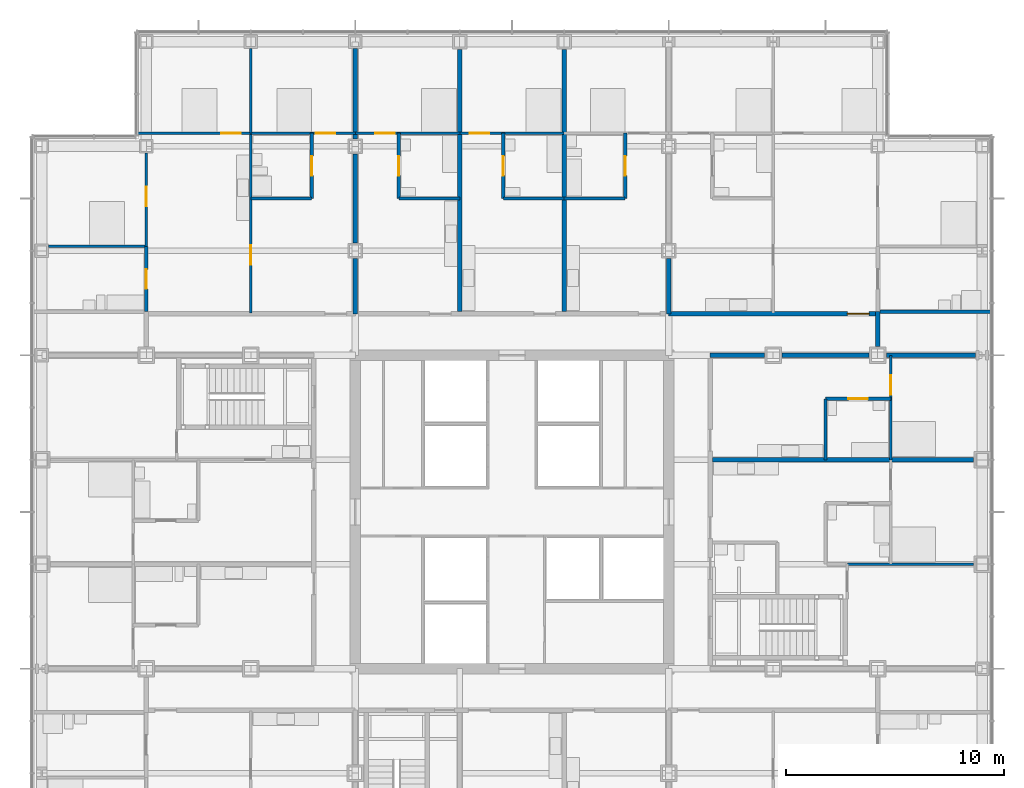
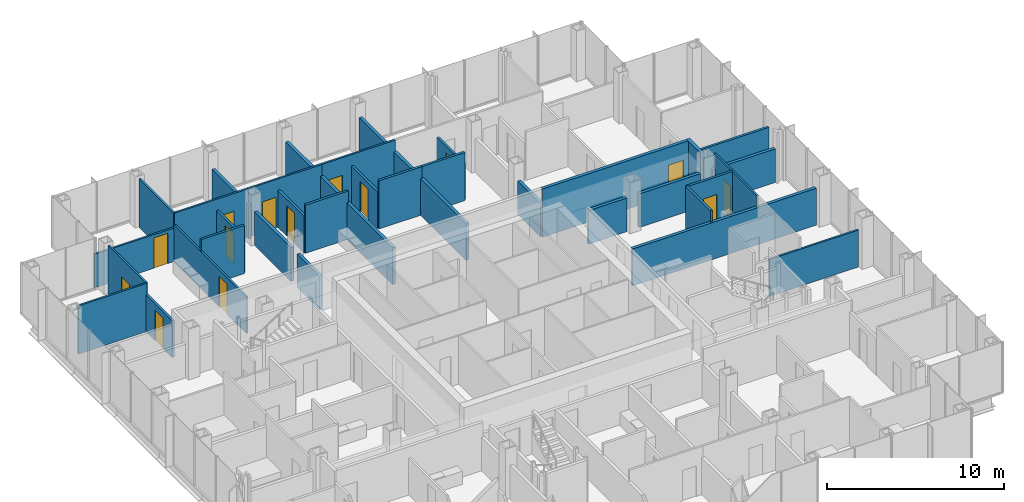
# One storey, part 17 of 21: 34 walls, 14 doors, 14 openings.
"""IFC4 building model written with IfcOpenShell, lengths in metres."""

from ifc_helpers import new_model, si_unit, direction, frame, frame_2d, origin, place, context, subcontext, project, spatial, rectangle, extrude, material, layer, layer_set, type_object, element, fill, save


model = new_model("IFC4")

# Units and contexts
model_context = context("Model", 3, precision=1e-05, world=origin(), true_north=direction((0.0, 1.0)))
body_context = subcontext(model_context, "Body", "Model", "MODEL_VIEW")
ifc_project = project(units=[si_unit("LENGTHUNIT", "METRE"), si_unit("AREAUNIT", "SQUARE_METRE"), si_unit("VOLUMEUNIT", "CUBIC_METRE"), si_unit("PLANEANGLEUNIT", "RADIAN"), si_unit("MASSUNIT", "GRAM", prefix="KILO")], contexts=[model_context])

# Site, building, storey
site_placement = place(None, origin())
site = spatial("IfcSite", under=ifc_project, at=site_placement, CompositionType="ELEMENT")
building_placement = place(site_placement, origin())
building = spatial("IfcBuilding", under=site, at=building_placement, Name="Kvirike Care Tower", CompositionType="ELEMENT")
storey_placement = place(building_placement, frame((0.0, 0.0, 48.0)))
storey = spatial("IfcBuildingStorey", under=building, at=storey_placement, Name="L12", CompositionType="ELEMENT", Elevation=48.0)

# Wall, opening, door
ifc_material_1 = material(Name="Moisture-resistant board partition", Category="gypsum")
ifc_layer_1 = layer(ifc_material_1, 0.14990234375)
ifc_layer_set_1 = layer_set([ifc_layer_1], Name="BATHROOM WALL 150")
wall_type_1 = type_object("IfcWallType", Name="BATHROOM WALL 150", PredefinedType="PARTITIONING", material=ifc_layer_set_1)
wall_1_placement = place(storey_placement, frame((12.39990234375, 53.39990234375, 0.0), z_axis=(0.0, 0.0, 1.0), x_axis=(0.0, -1.0, 0.0)))
wall_1 = element("IfcWall", 1, at=wall_1_placement, inside=storey, type_object=wall_type_1, Name="Bathroom Wall 150 L12", PredefinedType="PARTITIONING", context=body_context, shape_type="SweptSolid", body=[
    extrude(rectangle(XDim=3.0, YDim=0.14990234375, at=frame_2d((1.5, 0.0))), origin(), (0.0, 0.0, 1.0), 2.550048828125),
])
opening_1_placement = place(wall_1_placement, frame((1.050048828125, 0.0, 0.0)))
opening_1 = element("IfcOpeningElement", 2, at=opening_1_placement, cuts=wall_1, Name="Opening 12-017", PredefinedType="OPENING", context=body_context, shape_type="SweptSolid", body=[
    extrude(rectangle(XDim=0.89990234375, YDim=2.10009765625, at=frame_2d((0.449951171875, 1.050048828125))), frame((0.0, 0.08544921875, 0.0), z_axis=(0.0, -1.0, 0.0), x_axis=(1.0, 0.0, 0.0)), (0.0, 0.0, 1.0), 0.1708984375),
])
ifc_material_2 = material(Name="Timber door set", Category="wood")
door_type_1 = type_object("IfcDoorType", Name="BATHROOM DOOR 900", OperationType="SINGLE_SWING_RIGHT", PredefinedType="DOOR", material=ifc_material_2)
door_1_placement = place(opening_1_placement, frame((0.89990234375, 0.0, 0.0), z_axis=(0.0, 0.0, 1.0), x_axis=(-1.0, 0.0, 0.0)))
door_1 = element("IfcDoor", 3, at=door_1_placement, inside=storey, type_object=door_type_1, Name="Shower room door", OperationType="SINGLE_SWING_RIGHT", OverallHeight=2.10009765625, OverallWidth=0.89990234375, PredefinedType="DOOR", context=body_context, shape_type="SweptSolid", body=[
    extrude(rectangle(XDim=0.89990234375, YDim=2.10009765625, at=frame_2d((0.449951171875, 1.050048828125))), frame((0.0, 0.02197265625, 0.0), z_axis=(0.0, -1.0, 0.0), x_axis=(1.0, 0.0, 0.0)), (0.0, 0.0, 1.0), 0.0439453125),
])
fill(opening_1, door_1)

# Wall
wall_2_placement = place(storey_placement, frame((12.39990234375, 50.39990234375, 0.0), z_axis=(0.0, 0.0, 1.0), x_axis=(-1.0, 0.0, 0.0)))
element("IfcWall", 4, at=wall_2_placement, inside=storey, type_object=wall_type_1, Name="Bathroom Wall 150 L12", PredefinedType="PARTITIONING", context=body_context, shape_type="SweptSolid", body=[
    extrude(rectangle(XDim=2.7998046875, YDim=0.14990234375, at=frame_2d((1.39990234375, 0.0))), origin(), (0.0, 0.0, 1.0), 3.330078125),
])

# Wall, opening, door
wall_3_placement = place(storey_placement, frame((4.800048828125, 48.199951171875, 0.0), z_axis=(0.0, 0.0, 1.0), x_axis=(0.0, -1.0, 0.0)))
wall_3 = element("IfcWall", 5, at=wall_3_placement, inside=storey, type_object=wall_type_1, Name="Bathroom Wall 150 L12", PredefinedType="PARTITIONING", context=body_context, shape_type="SweptSolid", body=[
    extrude(rectangle(XDim=3.0, YDim=0.14990234375, at=frame_2d((1.5, 0.0))), origin(), (0.0, 0.0, 1.0), 2.550048828125),
])
opening_2_placement = place(wall_3_placement, frame((1.050048828125, 0.0, 0.0)))
opening_2 = element("IfcOpeningElement", 6, at=opening_2_placement, cuts=wall_3, Name="Opening 12-018", PredefinedType="OPENING", context=body_context, shape_type="SweptSolid", body=[
    extrude(rectangle(XDim=0.89990234375, YDim=2.10009765625, at=frame_2d((0.449951171875, 1.050048828125))), frame((0.0, 0.08544921875, 0.0), z_axis=(0.0, -1.0, 0.0), x_axis=(1.0, 0.0, 0.0)), (0.0, 0.0, 1.0), 0.1708984375),
])
door_2_placement = place(opening_2_placement, frame((0.89990234375, 0.0, 0.0), z_axis=(0.0, 0.0, 1.0), x_axis=(-1.0, 0.0, 0.0)))
door_2 = element("IfcDoor", 7, at=door_2_placement, inside=storey, type_object=door_type_1, Name="Bathroom door", OperationType="SINGLE_SWING_LEFT", OverallHeight=2.10009765625, OverallWidth=0.89990234375, PredefinedType="DOOR", context=body_context, shape_type="SweptSolid", body=[
    extrude(rectangle(XDim=0.89990234375, YDim=2.10009765625, at=frame_2d((0.449951171875, 1.050048828125))), frame((0.0, 0.02197265625, 0.0), z_axis=(0.0, -1.0, 0.0), x_axis=(1.0, 0.0, 0.0)), (0.0, 0.0, 1.0), 0.0439453125),
])
fill(opening_2, door_2)

wall_4_placement = place(storey_placement, frame((26.800048828125, 53.39990234375, 0.0), z_axis=(0.0, 0.0, 1.0), x_axis=(0.0, -1.0, 0.0)))
wall_4 = element("IfcWall", 8, at=wall_4_placement, inside=storey, type_object=wall_type_1, Name="Bathroom Wall 150 L12", PredefinedType="PARTITIONING", context=body_context, shape_type="SweptSolid", body=[
    extrude(rectangle(XDim=3.0, YDim=0.14990234375, at=frame_2d((1.5, 0.0))), origin(), (0.0, 0.0, 1.0), 2.550048828125),
])
opening_3_placement = place(wall_4_placement, frame((1.050048828125, 0.0, 0.0)))
opening_3 = element("IfcOpeningElement", 9, at=opening_3_placement, cuts=wall_4, Name="Opening 12-032", PredefinedType="OPENING", context=body_context, shape_type="SweptSolid", body=[
    extrude(rectangle(XDim=0.89990234375, YDim=2.10009765625, at=frame_2d((0.449951171875, 1.050048828125))), frame((0.0, 0.08544921875, 0.0), z_axis=(0.0, -1.0, 0.0), x_axis=(1.0, 0.0, 0.0)), (0.0, 0.0, 1.0), 0.1708984375),
])
door_3_placement = place(opening_3_placement, frame((0.89990234375, 0.0, 0.0), z_axis=(0.0, 0.0, 1.0), x_axis=(-1.0, 0.0, 0.0)))
door_3 = element("IfcDoor", 10, at=door_3_placement, inside=storey, type_object=door_type_1, Name="Bathroom door", OperationType="SINGLE_SWING_LEFT", OverallHeight=2.10009765625, OverallWidth=0.89990234375, PredefinedType="DOOR", context=body_context, shape_type="SweptSolid", body=[
    extrude(rectangle(XDim=0.89990234375, YDim=2.10009765625, at=frame_2d((0.449951171875, 1.050048828125))), frame((0.0, 0.02197265625, 0.0), z_axis=(0.0, -1.0, 0.0), x_axis=(1.0, 0.0, 0.0)), (0.0, 0.0, 1.0), 0.0439453125),
])
fill(opening_3, door_3)

# Wall
wall_5_placement = place(storey_placement, frame((26.800048828125, 50.39990234375, 0.0), z_axis=(0.0, 0.0, 1.0), x_axis=(-1.0, 0.0, 0.0)))
element("IfcWall", 11, at=wall_5_placement, inside=storey, type_object=wall_type_1, Name="Bathroom Wall 150 L12", PredefinedType="PARTITIONING", context=body_context, shape_type="SweptSolid", body=[
    extrude(rectangle(XDim=2.800048828125, YDim=0.14990234375, at=frame_2d((1.39990234375, 0.0))), origin(), (0.0, 0.0, 1.0), 3.330078125),
])

# Wall, opening, door
wall_6_placement = place(storey_placement, frame((21.199951171875, 53.39990234375, 0.0), z_axis=(0.0, 0.0, 1.0), x_axis=(0.0, -1.0, 0.0)))
wall_6 = element("IfcWall", 12, at=wall_6_placement, inside=storey, type_object=wall_type_1, Name="Bathroom Wall 150 L12", PredefinedType="PARTITIONING", context=body_context, shape_type="SweptSolid", body=[
    extrude(rectangle(XDim=3.0, YDim=0.14990234375, at=frame_2d((1.5, 0.0))), origin(), (0.0, 0.0, 1.0), 2.550048828125),
])
opening_4_placement = place(wall_6_placement, frame((1.050048828125, 0.0, 0.0)))
opening_4 = element("IfcOpeningElement", 13, at=opening_4_placement, cuts=wall_6, Name="Opening 12-034", PredefinedType="OPENING", context=body_context, shape_type="SweptSolid", body=[
    extrude(rectangle(XDim=0.89990234375, YDim=2.10009765625, at=frame_2d((0.449951171875, 1.050048828125))), frame((0.0, 0.08544921875, 0.0), z_axis=(0.0, -1.0, 0.0), x_axis=(1.0, 0.0, 0.0)), (0.0, 0.0, 1.0), 0.1708984375),
])
door_4_placement = place(opening_4_placement, origin())
door_4 = element("IfcDoor", 14, at=door_4_placement, inside=storey, type_object=door_type_1, Name="Bathroom door", OperationType="SINGLE_SWING_LEFT", OverallHeight=2.10009765625, OverallWidth=0.89990234375, PredefinedType="DOOR", context=body_context, shape_type="SweptSolid", body=[
    extrude(rectangle(XDim=0.89990234375, YDim=2.10009765625, at=frame_2d((0.449951171875, 1.050048828125))), frame((0.0, 0.02197265625, 0.0), z_axis=(0.0, -1.0, 0.0), x_axis=(1.0, 0.0, 0.0)), (0.0, 0.0, 1.0), 0.0439453125),
])
fill(opening_4, door_4)

# Wall
wall_7_placement = place(storey_placement, frame((24.0, 50.39990234375, 0.0), z_axis=(0.0, 0.0, 1.0), x_axis=(-1.0, 0.0, 0.0)))
element("IfcWall", 15, at=wall_7_placement, inside=storey, type_object=wall_type_1, Name="Bathroom Wall 150 L12", PredefinedType="PARTITIONING", context=body_context, shape_type="SweptSolid", body=[
    extrude(rectangle(XDim=2.800048828125, YDim=0.14990234375, at=frame_2d((1.39990234375, 0.0))), origin(), (0.0, 0.0, 1.0), 3.330078125),
])

# Wall, opening, door
wall_8_placement = place(storey_placement, frame((16.39990234375, 53.39990234375, 0.0), z_axis=(0.0, 0.0, 1.0), x_axis=(0.0, -1.0, 0.0)))
wall_8 = element("IfcWall", 16, at=wall_8_placement, inside=storey, type_object=wall_type_1, Name="Bathroom Wall 150 L12", PredefinedType="PARTITIONING", context=body_context, shape_type="SweptSolid", body=[
    extrude(rectangle(XDim=3.0, YDim=0.14990234375, at=frame_2d((1.5, 0.0))), origin(), (0.0, 0.0, 1.0), 2.550048828125),
])
opening_5_placement = place(wall_8_placement, frame((1.050048828125, 0.0, 0.0)))
opening_5 = element("IfcOpeningElement", 17, at=opening_5_placement, cuts=wall_8, Name="Opening 12-036", PredefinedType="OPENING", context=body_context, shape_type="SweptSolid", body=[
    extrude(rectangle(XDim=0.89990234375, YDim=2.10009765625, at=frame_2d((0.449951171875, 1.050048828125))), frame((0.0, 0.08544921875, 0.0), z_axis=(0.0, -1.0, 0.0), x_axis=(1.0, 0.0, 0.0)), (0.0, 0.0, 1.0), 0.1708984375),
])
door_5_placement = place(opening_5_placement, origin())
door_5 = element("IfcDoor", 18, at=door_5_placement, inside=storey, type_object=door_type_1, Name="Bathroom door", OperationType="SINGLE_SWING_RIGHT", OverallHeight=2.10009765625, OverallWidth=0.89990234375, PredefinedType="DOOR", context=body_context, shape_type="SweptSolid", body=[
    extrude(rectangle(XDim=0.89990234375, YDim=2.10009765625, at=frame_2d((0.449951171875, 1.050048828125))), frame((0.0, 0.02197265625, 0.0), z_axis=(0.0, -1.0, 0.0), x_axis=(1.0, 0.0, 0.0)), (0.0, 0.0, 1.0), 0.0439453125),
])
fill(opening_5, door_5)

# Wall
wall_9_placement = place(storey_placement, frame((19.199951171875, 50.39990234375, 0.0), z_axis=(0.0, 0.0, 1.0), x_axis=(-1.0, 0.0, 0.0)))
element("IfcWall", 19, at=wall_9_placement, inside=storey, type_object=wall_type_1, Name="Bathroom Wall 150 L12", PredefinedType="PARTITIONING", context=body_context, shape_type="SweptSolid", body=[
    extrude(rectangle(XDim=2.800048828125, YDim=0.14990234375, at=frame_2d((1.39990234375, 0.0))), origin(), (0.0, 0.0, 1.0), 3.330078125),
])

# Wall, opening, door
wall_10_placement = place(storey_placement, frame((39.0, 41.199951171875, 0.0), z_axis=(0.0, 0.0, 1.0), x_axis=(-1.0, 0.0, 0.0)))
wall_10 = element("IfcWall", 20, at=wall_10_placement, inside=storey, type_object=wall_type_1, Name="Bathroom Wall 150 L12", PredefinedType="PARTITIONING", context=body_context, shape_type="SweptSolid", body=[
    extrude(rectangle(XDim=3.0, YDim=0.14990234375, at=frame_2d((1.5, 0.0))), origin(), (0.0, 0.0, 1.0), 3.330078125),
])
opening_6_placement = place(wall_10_placement, frame((1.050048828125, 0.0, 0.0)))
opening_6 = element("IfcOpeningElement", 21, at=opening_6_placement, cuts=wall_10, Name="Opening 12-051", PredefinedType="OPENING", context=body_context, shape_type="SweptSolid", body=[
    extrude(rectangle(XDim=0.89990234375, YDim=2.10009765625, at=frame_2d((0.449951171875, 1.050048828125))), frame((0.0, 0.08544921875, 0.0), z_axis=(0.0, -1.0, 0.0), x_axis=(1.0, 0.0, 0.0)), (0.0, 0.0, 1.0), 0.1708984375),
])
door_6_placement = place(opening_6_placement, origin())
door_6 = element("IfcDoor", 22, at=door_6_placement, inside=storey, type_object=door_type_1, Name="Bathroom door", OperationType="SINGLE_SWING_RIGHT", OverallHeight=2.10009765625, OverallWidth=0.89990234375, PredefinedType="DOOR", context=body_context, shape_type="SweptSolid", body=[
    extrude(rectangle(XDim=0.89990234375, YDim=2.10009765625, at=frame_2d((0.449951171875, 1.050048828125))), frame((0.0, 0.02197265625, 0.0), z_axis=(0.0, -1.0, 0.0), x_axis=(1.0, 0.0, 0.0)), (0.0, 0.0, 1.0), 0.0439453125),
])
fill(opening_6, door_6)

# Walls
wall_11_placement = place(storey_placement, frame((36.0, 38.39990234375, 0.0), z_axis=(0.0, 0.0, 1.0), x_axis=(0.0, 1.0, 0.0)))
element("IfcWall", 23, at=wall_11_placement, inside=storey, type_object=wall_type_1, Name="Bathroom Wall 150 L12", PredefinedType="PARTITIONING", context=body_context, shape_type="SweptSolid", body=[
    extrude(rectangle(XDim=2.800048828125, YDim=0.14990234375, at=frame_2d((1.39990234375, 0.0))), origin(), (0.0, 0.0, 1.0), 3.330078125),
])
wall_12_placement = place(storey_placement, frame((43.6298828125, 45.199951171875, 0.0), z_axis=(0.0, 0.0, 1.0), x_axis=(-1.0, 0.0, 0.0)))
element("IfcWall", 24, at=wall_12_placement, inside=storey, type_object=wall_type_1, Name="Bathroom Wall 150 L12", PredefinedType="PARTITIONING", context=body_context, shape_type="SweptSolid", body=[
    extrude(rectangle(XDim=5.1298828125, YDim=0.14990234375, at=frame_2d((2.56494140625, 0.0))), origin(), (0.0, 0.0, 1.0), 2.320068359375),
])

# Wall, opening, door
ifc_material_3 = material(Name="Plasterboard corridor wall", Category="gypsum")
ifc_layer_2 = layer(ifc_material_3, 0.199951171875)
ifc_layer_set_2 = layer_set([ifc_layer_2], Name="CORRIDOR WALL 200")
wall_type_2 = type_object("IfcWallType", Name="CORRIDOR WALL 200", PredefinedType="PARTITIONING", material=ifc_layer_set_2)
wall_13_placement = place(storey_placement, frame((38.39990234375, 45.10009765625, 0.0), z_axis=(0.0, 0.0, 1.0), x_axis=(-1.0, 0.0, 0.0)))
wall_13 = element("IfcWall", 25, at=wall_13_placement, inside=storey, type_object=wall_type_2, Name="Corridor Wall 200 L12", PredefinedType="PARTITIONING", context=body_context, shape_type="SweptSolid", body=[
    extrude(rectangle(XDim=9.599853515625, YDim=0.199951171875, at=frame_2d((4.7998046875, 0.0))), origin(), (0.0, 0.0, 1.0), 3.330078125),
])
opening_7_placement = place(wall_13_placement, frame((0.39990234375, 0.0, 0.0)))
opening_7 = element("IfcOpeningElement", 26, at=opening_7_placement, cuts=wall_13, Name="Opening 12-063", PredefinedType="OPENING", context=body_context, shape_type="SweptSolid", body=[
    extrude(rectangle(XDim=1.0, YDim=2.10009765625, at=frame_2d((0.5, 1.050048828125))), frame((0.0, 0.110595703125, 0.0), z_axis=(0.0, -1.0, 0.0), x_axis=(1.0, 0.0, 0.0)), (0.0, 0.0, 1.0), 0.220947265625),
])
ifc_material_4 = material(Name="Timber door set", Category="wood")
door_type_2 = type_object("IfcDoorType", Name="FLAT ENTRANCE DOOR 1000", OperationType="SINGLE_SWING_LEFT", PredefinedType="DOOR", material=ifc_material_4)
door_7_placement = place(opening_7_placement, frame((1.0, 0.0, 0.0), z_axis=(0.0, 0.0, 1.0), x_axis=(-1.0, 0.0, 0.0)))
door_7 = element("IfcDoor", 27, at=door_7_placement, inside=storey, type_object=door_type_2, Name="Three-bedroom corner apartment entrance", OperationType="SINGLE_SWING_LEFT", OverallHeight=2.10009765625, OverallWidth=1.0, PredefinedType="DOOR", context=body_context, shape_type="SweptSolid", body=[
    extrude(rectangle(XDim=1.0, YDim=2.10009765625, at=frame_2d((0.5, 1.050048828125))), frame((0.0, 0.02685546875, 0.0), z_axis=(0.0, -1.0, 0.0), x_axis=(1.0, 0.0, 0.0)), (0.0, 0.0, 1.0), 0.053955078125),
])
fill(opening_7, door_7)

# Wall
wall_14_placement = place(storey_placement, frame((38.39990234375, 45.199951171875, 0.0), z_axis=(0.0, 0.0, 1.0), x_axis=(0.0, -1.0, 0.0)))
element("IfcWall", 28, at=wall_14_placement, inside=storey, type_object=wall_type_2, Name="Corridor Wall 200 L12", PredefinedType="PARTITIONING", context=body_context, shape_type="SweptSolid", body=[
    extrude(rectangle(XDim=1.60498046875, YDim=0.199951171875, at=frame_2d((0.802490234375, 0.0))), origin(), (0.0, 0.0, 1.0), 3.330078125),
])

# Wall, opening, door
ifc_material_5 = material(Name="Plasterboard partition", Category="gypsum")
ifc_layer_3 = layer(ifc_material_5, 0.1201171875)
ifc_layer_set_3 = layer_set([ifc_layer_3], Name="PARTITION 120")
wall_type_3 = type_object("IfcWallType", Name="PARTITION 120", PredefinedType="PARTITIONING", material=ifc_layer_set_3)
wall_15_placement = place(storey_placement, frame((9.60009765625, 53.39990234375, 0.0), z_axis=(0.0, 0.0, 1.0), x_axis=(0.0, -1.0, 0.0)))
wall_15 = element("IfcWall", 29, at=wall_15_placement, inside=storey, type_object=wall_type_3, Name="Partition 120 L12", PredefinedType="PARTITIONING", context=body_context, shape_type="SweptSolid", body=[
    extrude(rectangle(XDim=8.25, YDim=0.1201171875, at=frame_2d((4.125, 0.0))), origin(), (0.0, 0.0, 1.0), 2.550048828125),
])
opening_8_placement = place(wall_15_placement, frame((5.14990234375, 0.0, 0.0)))
opening_8 = element("IfcOpeningElement", 30, at=opening_8_placement, cuts=wall_15, Name="Opening 12-019", PredefinedType="OPENING", context=body_context, shape_type="SweptSolid", body=[
    extrude(rectangle(XDim=0.89990234375, YDim=2.10009765625, at=frame_2d((0.449951171875, 1.050048828125))), frame((0.0, 0.070556640625, 0.0), z_axis=(0.0, -1.0, 0.0), x_axis=(1.0, 0.0, 0.0)), (0.0, 0.0, 1.0), 0.14111328125),
])
ifc_material_6 = material(Name="Timber door set", Category="wood")
door_type_3 = type_object("IfcDoorType", Name="INTERNAL DOOR 900", OperationType="SINGLE_SWING_LEFT", PredefinedType="DOOR", material=ifc_material_6)
door_8_placement = place(opening_8_placement, origin())
door_8 = element("IfcDoor", 31, at=door_8_placement, inside=storey, type_object=door_type_3, Name="Hall door", OperationType="SINGLE_SWING_LEFT", OverallHeight=2.10009765625, OverallWidth=0.89990234375, PredefinedType="DOOR", context=body_context, shape_type="SweptSolid", body=[
    extrude(rectangle(XDim=0.89990234375, YDim=2.10009765625, at=frame_2d((0.449951171875, 1.050048828125))), frame((0.0, 0.02197265625, 0.0), z_axis=(0.0, -1.0, 0.0), x_axis=(1.0, 0.0, 0.0)), (0.0, 0.0, 1.0), 0.0439453125),
])
fill(opening_8, door_8)

wall_16_placement = place(storey_placement, frame((14.39990234375, 53.39990234375, 0.0), z_axis=(0.0, 0.0, 1.0), x_axis=(-1.0, 0.0, 0.0)))
wall_16 = element("IfcWall", 32, at=wall_16_placement, inside=storey, type_object=wall_type_3, Name="Partition 120 L12", PredefinedType="PARTITIONING", context=body_context, shape_type="SweptSolid", body=[
    extrude(rectangle(XDim=4.7998046875, YDim=0.1201171875, at=frame_2d((2.39990234375, 0.0))), origin(), (0.0, 0.0, 1.0), 3.330078125),
])
opening_9_placement = place(wall_16_placement, frame((0.925048828125, 0.0, 0.0)))
opening_9 = element("IfcOpeningElement", 33, at=opening_9_placement, cuts=wall_16, Name="Opening 12-020", PredefinedType="OPENING", context=body_context, shape_type="SweptSolid", body=[
    extrude(rectangle(XDim=0.89990234375, YDim=2.10009765625, at=frame_2d((0.449951171875, 1.050048828125))), frame((0.0, 0.070556640625, 0.0), z_axis=(0.0, -1.0, 0.0), x_axis=(1.0, 0.0, 0.0)), (0.0, 0.0, 1.0), 0.14111328125),
])
door_9_placement = place(opening_9_placement, frame((0.89990234375, 0.0, 0.0), z_axis=(0.0, 0.0, 1.0), x_axis=(-1.0, 0.0, 0.0)))
door_9 = element("IfcDoor", 34, at=door_9_placement, inside=storey, type_object=door_type_3, Name="Apartment bedroom door", OperationType="SINGLE_SWING_LEFT", OverallHeight=2.10009765625, OverallWidth=0.89990234375, PredefinedType="DOOR", context=body_context, shape_type="SweptSolid", body=[
    extrude(rectangle(XDim=0.89990234375, YDim=2.10009765625, at=frame_2d((0.449951171875, 1.050048828125))), frame((0.0, 0.02197265625, 0.0), z_axis=(0.0, -1.0, 0.0), x_axis=(1.0, 0.0, 0.0)), (0.0, 0.0, 1.0), 0.0439453125),
])
fill(opening_9, door_9)

wall_17_placement = place(storey_placement, frame((9.60009765625, 53.39990234375, 0.0), z_axis=(0.0, 0.0, 1.0), x_axis=(-1.0, 0.0, 0.0)))
wall_17 = element("IfcWall", 35, at=wall_17_placement, inside=storey, type_object=wall_type_3, Name="Partition 120 L12", PredefinedType="PARTITIONING", context=body_context, shape_type="SweptSolid", body=[
    extrude(rectangle(XDim=5.235107421875, YDim=0.1201171875, at=frame_2d((2.61767578125, 0.0))), origin(), (0.0, 0.0, 1.0), 2.320068359375),
])
opening_10_placement = place(wall_17_placement, frame((0.449951171875, 0.0, 0.0)))
opening_10 = element("IfcOpeningElement", 36, at=opening_10_placement, cuts=wall_17, Name="Opening 12-021", PredefinedType="OPENING", context=body_context, shape_type="SweptSolid", body=[
    extrude(rectangle(XDim=0.89990234375, YDim=2.10009765625, at=frame_2d((0.449951171875, 1.050048828125))), frame((0.0, 0.070556640625, 0.0), z_axis=(0.0, -1.0, 0.0), x_axis=(1.0, 0.0, 0.0)), (0.0, 0.0, 1.0), 0.14111328125),
])
door_10_placement = place(opening_10_placement, frame((0.89990234375, 0.0, 0.0), z_axis=(0.0, 0.0, 1.0), x_axis=(-1.0, 0.0, 0.0)))
door_10 = element("IfcDoor", 37, at=door_10_placement, inside=storey, type_object=door_type_3, Name="Apartment bedroom door", OperationType="SINGLE_SWING_LEFT", OverallHeight=2.10009765625, OverallWidth=0.89990234375, PredefinedType="DOOR", context=body_context, shape_type="SweptSolid", body=[
    extrude(rectangle(XDim=0.89990234375, YDim=2.10009765625, at=frame_2d((0.449951171875, 1.050048828125))), frame((0.0, 0.02197265625, 0.0), z_axis=(0.0, -1.0, 0.0), x_axis=(1.0, 0.0, 0.0)), (0.0, 0.0, 1.0), 0.0439453125),
])
fill(opening_10, door_10)

# Walls
wall_18_placement = place(storey_placement, frame((4.800048828125, 48.199951171875, 0.0), z_axis=(0.0, 0.0, 1.0), x_axis=(-1.0, 0.0, 0.0)))
element("IfcWall", 38, at=wall_18_placement, inside=storey, type_object=wall_type_3, Name="Partition 120 L12", PredefinedType="PARTITIONING", context=body_context, shape_type="SweptSolid", body=[
    extrude(rectangle(XDim=4.47998046875, YDim=0.1201171875, at=frame_2d((2.239990234375, 0.0))), origin(), (0.0, 0.0, 1.0), 3.330078125),
])
wall_19_placement = place(storey_placement, frame((9.60009765625, 57.280029296875, 0.0), z_axis=(0.0, 0.0, 1.0), x_axis=(0.0, -1.0, 0.0)))
element("IfcWall", 39, at=wall_19_placement, inside=storey, type_object=wall_type_3, Name="Partition 120 L12", PredefinedType="PARTITIONING", context=body_context, shape_type="SweptSolid", body=[
    extrude(rectangle(XDim=3.880126953125, YDim=0.1201171875, at=frame_2d((1.93994140625, 0.0))), origin(), (0.0, 0.0, 1.0), 3.330078125),
])

# Wall, opening, door
wall_20_placement = place(storey_placement, frame((4.800048828125, 52.47998046875, 0.0), z_axis=(0.0, 0.0, 1.0), x_axis=(0.0, -1.0, 0.0)))
wall_20 = element("IfcWall", 40, at=wall_20_placement, inside=storey, type_object=wall_type_3, Name="Partition 120 L12", PredefinedType="PARTITIONING", context=body_context, shape_type="SweptSolid", body=[
    extrude(rectangle(XDim=4.280029296875, YDim=0.1201171875, at=frame_2d((2.14013671875, 0.0))), origin(), (0.0, 0.0, 1.0), 3.330078125),
])
opening_11_placement = place(wall_20_placement, frame((1.530029296875, 0.0, 0.0)))
opening_11 = element("IfcOpeningElement", 41, at=opening_11_placement, cuts=wall_20, Name="Opening 12-022", PredefinedType="OPENING", context=body_context, shape_type="SweptSolid", body=[
    extrude(rectangle(XDim=0.89990234375, YDim=2.10009765625, at=frame_2d((0.449951171875, 1.050048828125))), frame((0.0, 0.070556640625, 0.0), z_axis=(0.0, -1.0, 0.0), x_axis=(1.0, 0.0, 0.0)), (0.0, 0.0, 1.0), 0.14111328125),
])
door_11_placement = place(opening_11_placement, frame((0.89990234375, 0.0, 0.0), z_axis=(0.0, 0.0, 1.0), x_axis=(-1.0, 0.0, 0.0)))
door_11 = element("IfcDoor", 42, at=door_11_placement, inside=storey, type_object=door_type_3, Name="Connecting door", OperationType="SINGLE_SWING_LEFT", OverallHeight=2.10009765625, OverallWidth=0.89990234375, PredefinedType="DOOR", context=body_context, shape_type="SweptSolid", body=[
    extrude(rectangle(XDim=0.89990234375, YDim=2.10009765625, at=frame_2d((0.449951171875, 1.050048828125))), frame((0.0, 0.02197265625, 0.0), z_axis=(0.0, -1.0, 0.0), x_axis=(1.0, 0.0, 0.0)), (0.0, 0.0, 1.0), 0.0439453125),
])
fill(opening_11, door_11)

wall_21_placement = place(storey_placement, frame((24.0, 53.39990234375, 0.0), z_axis=(0.0, 0.0, 1.0), x_axis=(-1.0, 0.0, 0.0)))
wall_21 = element("IfcWall", 43, at=wall_21_placement, inside=storey, type_object=wall_type_3, Name="Partition 120 L12", PredefinedType="PARTITIONING", context=body_context, shape_type="SweptSolid", body=[
    extrude(rectangle(XDim=4.800048828125, YDim=0.1201171875, at=frame_2d((2.39990234375, 0.0))), origin(), (0.0, 0.0, 1.0), 3.330078125),
])
opening_12_placement = place(wall_21_placement, frame((3.449951171875, 0.0, 0.0)))
opening_12 = element("IfcOpeningElement", 44, at=opening_12_placement, cuts=wall_21, Name="Opening 12-035", PredefinedType="OPENING", context=body_context, shape_type="SweptSolid", body=[
    extrude(rectangle(XDim=0.89990234375, YDim=2.10009765625, at=frame_2d((0.449951171875, 1.050048828125))), frame((0.0, 0.070556640625, 0.0), z_axis=(0.0, -1.0, 0.0), x_axis=(1.0, 0.0, 0.0)), (0.0, 0.0, 1.0), 0.14111328125),
])
door_12_placement = place(opening_12_placement, frame((0.89990234375, 0.0, 0.0), z_axis=(0.0, 0.0, 1.0), x_axis=(-1.0, 0.0, 0.0)))
door_12 = element("IfcDoor", 45, at=door_12_placement, inside=storey, type_object=door_type_3, Name="Studio apartment living room door", OperationType="SINGLE_SWING_RIGHT", OverallHeight=2.10009765625, OverallWidth=0.89990234375, PredefinedType="DOOR", context=body_context, shape_type="SweptSolid", body=[
    extrude(rectangle(XDim=0.89990234375, YDim=2.10009765625, at=frame_2d((0.449951171875, 1.050048828125))), frame((0.0, 0.02197265625, 0.0), z_axis=(0.0, -1.0, 0.0), x_axis=(1.0, 0.0, 0.0)), (0.0, 0.0, 1.0), 0.0439453125),
])
fill(opening_12, door_12)

wall_22_placement = place(storey_placement, frame((19.199951171875, 53.39990234375, 0.0), z_axis=(0.0, 0.0, 1.0), x_axis=(-1.0, 0.0, 0.0)))
wall_22 = element("IfcWall", 46, at=wall_22_placement, inside=storey, type_object=wall_type_3, Name="Partition 120 L12", PredefinedType="PARTITIONING", context=body_context, shape_type="SweptSolid", body=[
    extrude(rectangle(XDim=4.800048828125, YDim=0.1201171875, at=frame_2d((2.39990234375, 0.0))), origin(), (0.0, 0.0, 1.0), 3.330078125),
])
opening_13_placement = place(wall_22_placement, frame((2.97509765625, 0.0, 0.0)))
opening_13 = element("IfcOpeningElement", 47, at=opening_13_placement, cuts=wall_22, Name="Opening 12-037", PredefinedType="OPENING", context=body_context, shape_type="SweptSolid", body=[
    extrude(rectangle(XDim=0.89990234375, YDim=2.10009765625, at=frame_2d((0.449951171875, 1.050048828125))), frame((0.0, 0.070556640625, 0.0), z_axis=(0.0, -1.0, 0.0), x_axis=(1.0, 0.0, 0.0)), (0.0, 0.0, 1.0), 0.14111328125),
])
door_13_placement = place(opening_13_placement, frame((0.89990234375, 0.0, 0.0), z_axis=(0.0, 0.0, 1.0), x_axis=(-1.0, 0.0, 0.0)))
door_13 = element("IfcDoor", 48, at=door_13_placement, inside=storey, type_object=door_type_3, Name="Studio apartment living room door", OperationType="SINGLE_SWING_RIGHT", OverallHeight=2.10009765625, OverallWidth=0.89990234375, PredefinedType="DOOR", context=body_context, shape_type="SweptSolid", body=[
    extrude(rectangle(XDim=0.89990234375, YDim=2.10009765625, at=frame_2d((0.449951171875, 1.050048828125))), frame((0.0, 0.02197265625, 0.0), z_axis=(0.0, -1.0, 0.0), x_axis=(1.0, 0.0, 0.0)), (0.0, 0.0, 1.0), 0.0439453125),
])
fill(opening_13, door_13)

# Wall
wall_23_placement = place(storey_placement, frame((42.804931640625, 33.60009765625, 0.0), z_axis=(0.0, 0.0, 1.0), x_axis=(-1.0, 0.0, 0.0)))
element("IfcWall", 49, at=wall_23_placement, inside=storey, type_object=wall_type_3, Name="Partition 120 L12", PredefinedType="PARTITIONING", context=body_context, shape_type="SweptSolid", body=[
    extrude(rectangle(XDim=5.804931640625, YDim=0.1201171875, at=frame_2d((2.90234375, 0.0))), origin(), (0.0, 0.0, 1.0), 2.550048828125),
])

# Wall, opening, door
wall_24_placement = place(storey_placement, frame((39.0, 38.39990234375, 0.0), z_axis=(0.0, 0.0, 1.0), x_axis=(0.0, 1.0, 0.0)))
wall_24 = element("IfcWall", 50, at=wall_24_placement, inside=storey, type_object=wall_type_3, Name="Partition 120 L12", PredefinedType="PARTITIONING", context=body_context, shape_type="SweptSolid", body=[
    extrude(rectangle(XDim=4.800048828125, YDim=0.1201171875, at=frame_2d((2.39990234375, 0.0))), origin(), (0.0, 0.0, 1.0), 3.330078125),
])
opening_14_placement = place(wall_24_placement, frame((2.97509765625, 0.0, 0.0)))
opening_14 = element("IfcOpeningElement", 51, at=opening_14_placement, cuts=wall_24, Name="Opening 12-052", PredefinedType="OPENING", context=body_context, shape_type="SweptSolid", body=[
    extrude(rectangle(XDim=0.89990234375, YDim=2.10009765625, at=frame_2d((0.449951171875, 1.050048828125))), frame((0.0, 0.070556640625, 0.0), z_axis=(0.0, -1.0, 0.0), x_axis=(1.0, 0.0, 0.0)), (0.0, 0.0, 1.0), 0.14111328125),
])
door_14_placement = place(opening_14_placement, frame((0.89990234375, 0.0, 0.0), z_axis=(0.0, 0.0, 1.0), x_axis=(-1.0, 0.0, 0.0)))
door_14 = element("IfcDoor", 52, at=door_14_placement, inside=storey, type_object=door_type_3, Name="Studio apartment living room door", OperationType="SINGLE_SWING_RIGHT", OverallHeight=2.10009765625, OverallWidth=0.89990234375, PredefinedType="DOOR", context=body_context, shape_type="SweptSolid", body=[
    extrude(rectangle(XDim=0.89990234375, YDim=2.10009765625, at=frame_2d((0.449951171875, 1.050048828125))), frame((0.0, 0.02197265625, 0.0), z_axis=(0.0, -1.0, 0.0), x_axis=(1.0, 0.0, 0.0)), (0.0, 0.0, 1.0), 0.0439453125),
])
fill(opening_14, door_14)

# Walls
ifc_material_7 = material(Name="Plasterboard party wall", Category="gypsum")
ifc_layer_4 = layer(ifc_material_7, 0.199951171875)
ifc_layer_set_4 = layer_set([ifc_layer_4], Name="PARTY WALL 200")
wall_type_4 = type_object("IfcWallType", Name="PARTY WALL 200", PredefinedType="PARTITIONING", material=ifc_layer_set_4)
for number, where, z_axis, x_axis, name in (
    (53, (24.0, 57.2548828125, 0.0), (0.0, 0.0, 1.0), (0.0, -1.0, 0.0), "Party Wall 200 L12"),
    (54, (19.199951171875, 57.2548828125, 0.0), (0.0, 0.0, 1.0), (0.0, -1.0, 0.0), "Party Wall 200 L12"),
):
    element("IfcWall", number, at=place(storey_placement, frame(where, z_axis=z_axis, x_axis=x_axis)), inside=storey, type_object=wall_type_4, Name=name, PredefinedType="PARTITIONING", context=body_context, shape_type="SweptSolid", body=[
        extrude(rectangle(XDim=12.054931640625, YDim=0.199951171875, at=frame_2d((6.02734375, 0.0))), origin(), (0.0, 0.0, 1.0), 2.550048828125),
    ])
wall_25_placement = place(storey_placement, frame((42.804931640625, 38.39990234375, 0.0), z_axis=(0.0, 0.0, 1.0), x_axis=(-1.0, 0.0, 0.0)))
element("IfcWall", 55, at=wall_25_placement, inside=storey, type_object=wall_type_4, Name="Party Wall 200 L12", PredefinedType="PARTITIONING", context=body_context, shape_type="SweptSolid", body=[
    extrude(rectangle(XDim=12.0048828125, YDim=0.199951171875, at=frame_2d((6.00244140625, 0.0))), origin(), (0.0, 0.0, 1.0), 2.550048828125),
])
wall_26_placement = place(storey_placement, frame((14.39990234375, 45.10009765625, 0.0), z_axis=(0.0, 0.0, 1.0), x_axis=(0.0, 1.0, 0.0)))
element("IfcWall", 56, at=wall_26_placement, inside=storey, type_object=wall_type_4, Name="Party Wall 200 L12", PredefinedType="PARTITIONING", context=body_context, shape_type="SweptSolid", body=[
    extrude(rectangle(XDim=2.554931640625, YDim=0.199951171875, at=frame_2d((1.27734375, 0.0))), origin(), (0.0, 0.0, 1.0), 2.320068359375),
])
wall_27_placement = place(storey_placement, frame((14.39990234375, 48.344970703125, 0.0), z_axis=(0.0, 0.0, 1.0), x_axis=(0.0, 1.0, 0.0)))
element("IfcWall", 57, at=wall_27_placement, inside=storey, type_object=wall_type_4, Name="Party Wall 200 L12", PredefinedType="PARTITIONING", context=body_context, shape_type="SweptSolid", body=[
    extrude(rectangle(XDim=4.110107421875, YDim=0.199951171875, at=frame_2d((2.05517578125, 0.0))), origin(), (0.0, 0.0, 1.0), 2.320068359375),
])
wall_28_placement = place(storey_placement, frame((14.39990234375, 53.14501953125, 0.0), z_axis=(0.0, 0.0, 1.0), x_axis=(0.0, 1.0, 0.0)))
element("IfcWall", 58, at=wall_28_placement, inside=storey, type_object=wall_type_4, Name="Party Wall 200 L12", PredefinedType="PARTITIONING", context=body_context, shape_type="SweptSolid", body=[
    extrude(rectangle(XDim=4.135009765625, YDim=0.199951171875, at=frame_2d((2.0673828125, 0.0))), origin(), (0.0, 0.0, 1.0), 2.320068359375),
])
wall_29_placement = place(storey_placement, frame((28.800048828125, 45.10009765625, 0.0), z_axis=(0.0, 0.0, 1.0), x_axis=(0.0, 1.0, 0.0)))
element("IfcWall", 59, at=wall_29_placement, inside=storey, type_object=wall_type_4, Name="Party Wall 200 L12", PredefinedType="PARTITIONING", context=body_context, shape_type="SweptSolid", body=[
    extrude(rectangle(XDim=2.554931640625, YDim=0.199951171875, at=frame_2d((1.27734375, 0.0))), origin(), (0.0, 0.0, 1.0), 2.320068359375),
])
wall_30_placement = place(storey_placement, frame((42.8955078125, 43.199951171875, 0.0), z_axis=(0.0, 0.0, 1.0), x_axis=(-1.0, 0.0, 0.0)))
element("IfcWall", 60, at=wall_30_placement, inside=storey, type_object=wall_type_4, Name="Party Wall 200 L12", PredefinedType="PARTITIONING", context=body_context, shape_type="SweptSolid", body=[
    extrude(rectangle(XDim=4.1005859375, YDim=0.199951171875, at=frame_2d((2.05029296875, 0.0))), origin(), (0.0, 0.0, 1.0), 2.320068359375),
])
wall_31_placement = place(storey_placement, frame((38.0048828125, 43.199951171875, 0.0), z_axis=(0.0, 0.0, 1.0), x_axis=(-1.0, 0.0, 0.0)))
element("IfcWall", 61, at=wall_31_placement, inside=storey, type_object=wall_type_4, Name="Party Wall 200 L12", PredefinedType="PARTITIONING", context=body_context, shape_type="SweptSolid", body=[
    extrude(rectangle(XDim=4.009765625, YDim=0.199951171875, at=frame_2d((2.0048828125, 0.0))), origin(), (0.0, 0.0, 1.0), 2.320068359375),
])
wall_32_placement = place(storey_placement, frame((33.205078125, 43.199951171875, 0.0), z_axis=(0.0, 0.0, 1.0), x_axis=(-1.0, 0.0, 0.0)))
element("IfcWall", 62, at=wall_32_placement, inside=storey, type_object=wall_type_4, Name="Party Wall 200 L12", PredefinedType="PARTITIONING", context=body_context, shape_type="SweptSolid", body=[
    extrude(rectangle(XDim=2.505126953125, YDim=0.199951171875, at=frame_2d((1.25244140625, 0.0))), origin(), (0.0, 0.0, 1.0), 2.320068359375),
])

save(model, "model.ifc")
